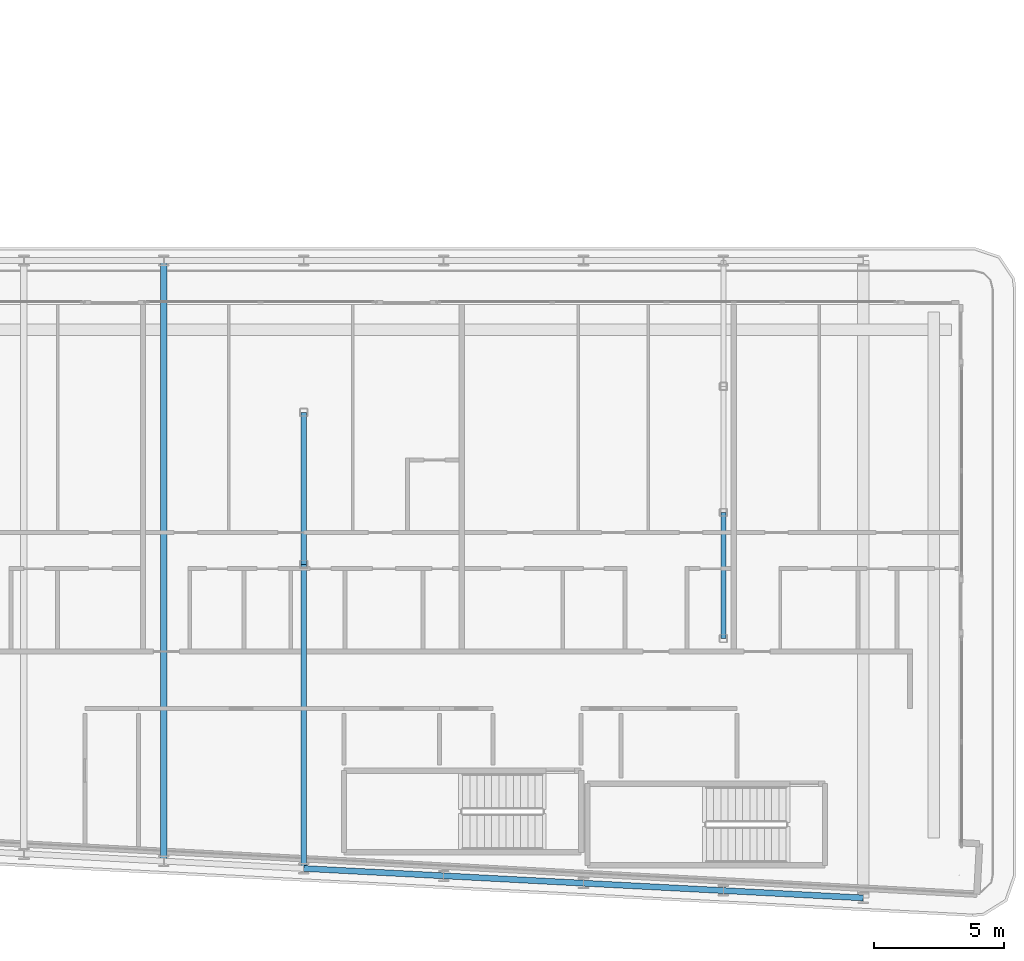
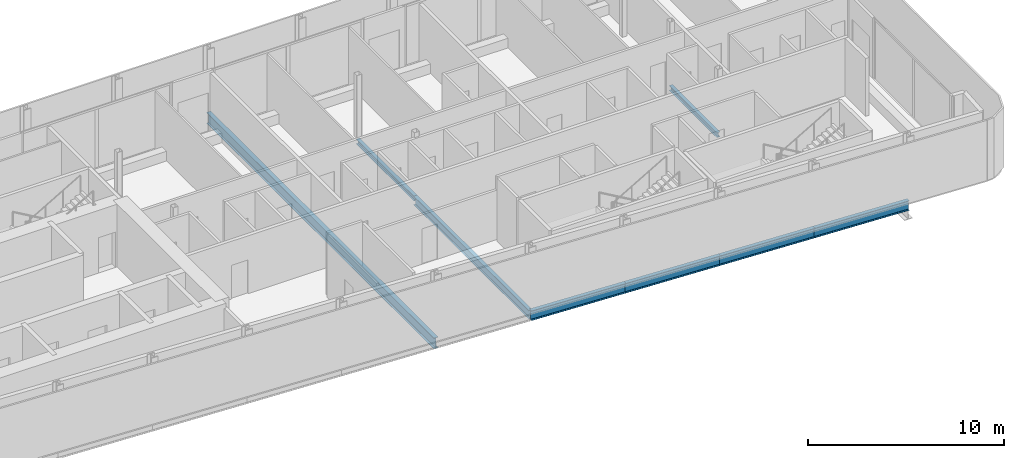
# One storey, part 7 of 29: 8 beams.
"""IFC4 building model written with IfcOpenShell, lengths in metres."""

from ifc_helpers import new_model, si_unit, direction, frame, origin, origin_2d, place, context, subcontext, project, spatial, i_section, extrude, material, material_profile, profile_set, type_object, element, save


model = new_model("IFC4")

# Units and contexts
model_context = context("Model", 3, precision=1e-05, world=origin(), true_north=direction((0.0, 1.0)))
body_context = subcontext(model_context, "Body", "Model", "MODEL_VIEW")
ifc_project = project(units=[si_unit("LENGTHUNIT", "METRE"), si_unit("AREAUNIT", "SQUARE_METRE"), si_unit("VOLUMEUNIT", "CUBIC_METRE"), si_unit("PLANEANGLEUNIT", "RADIAN"), si_unit("MASSUNIT", "GRAM", prefix="KILO")], contexts=[model_context])

# Site, building, storey
site_placement = place(None, origin())
site = spatial("IfcSite", under=ifc_project, at=site_placement, CompositionType="ELEMENT")
building_placement = place(site_placement, origin())
building = spatial("IfcBuilding", under=site, at=building_placement, Name="Kheshtan School and Residences Tower", CompositionType="ELEMENT")
storey_placement = place(building_placement, frame((0.0, 0.0, 168.199951171875)))
storey = spatial("IfcBuildingStorey", under=building, at=storey_placement, Name="L39", CompositionType="ELEMENT", Elevation=168.199951171875)

# Beams
ifc_material = material(Name="Steel ASTM A992 Grade 50", Category="steel")
ifc_material_profile_1 = material_profile(ifc_material, i_section(OverallWidth=0.202880859375, OverallDepth=0.302978515625, WebThickness=0.007568359375, FlangeThickness=0.01318359375, FilletRadius=0.009033203125, at=origin_2d()), Name="W310x60")
ifc_profile_set_1 = profile_set([ifc_material_profile_1], Name="Steel ASTM A992 Grade 50")
beam_type_1 = type_object("IfcBeamType", Name="Beam FB1 W310x60 ASTM A992 Grade 50", PredefinedType="BEAM", material=ifc_profile_set_1)
beam_1_placement = place(storey_placement, frame((85.39990234375, 31.0048828125, -0.301513671875), z_axis=(0.0, 1.0, 0.0), x_axis=(-1.0, 0.0, 0.0)))
element("IfcBeam", 1, at=beam_1_placement, inside=storey, type_object=beam_type_1, Name="Floor beam IC", PredefinedType="BEAM", context=body_context, shape_type="SweptSolid", body=[
    extrude(i_section(OverallWidth=0.202880859375, OverallDepth=0.302978515625, WebThickness=0.007568359375, FlangeThickness=0.01318359375, FilletRadius=0.009033203125, at=origin_2d()), origin(), (0.0, 0.0, 1.0), 4.865234375),
])
beam_2_placement = place(storey_placement, frame((69.199951171875, 33.863037109375, -0.301513671875), z_axis=(0.0, 1.0, 0.0), x_axis=(-1.0, 0.0, 0.0)))
element("IfcBeam", 2, at=beam_2_placement, inside=storey, type_object=beam_type_1, Name="Floor beam IC", PredefinedType="BEAM", context=body_context, shape_type="SweptSolid", body=[
    extrude(i_section(OverallWidth=0.202880859375, OverallDepth=0.302978515625, WebThickness=0.007568359375, FlangeThickness=0.01318359375, FilletRadius=0.009033203125, at=origin_2d()), origin(), (0.0, 0.0, 1.0), 5.868896484375),
])
ifc_material_profile_2 = material_profile(ifc_material, i_section(OverallWidth=0.208984375, OverallDepth=0.532958984375, WebThickness=0.01025390625, FlangeThickness=0.015625, FilletRadius=0.013916015625, at=origin_2d()), Name="W530x92")
ifc_profile_set_2 = profile_set([ifc_material_profile_2], Name="Steel ASTM A992 Grade 50")
beam_type_2 = type_object("IfcBeamType", Name="Beam FB4 W530x92 ASTM A992 Grade 50", PredefinedType="BEAM", material=ifc_profile_set_2)
beam_3_placement = place(storey_placement, frame((69.199951171875, 22.126953125, -0.41650390625), z_axis=(0.0, 1.0, 0.0), x_axis=(-1.0, 0.0, 0.0)))
element("IfcBeam", 3, at=beam_3_placement, inside=storey, type_object=beam_type_2, Name="Floor beam C014", PredefinedType="BEAM", context=body_context, shape_type="SweptSolid", body=[
    extrude(i_section(OverallWidth=0.208984375, OverallDepth=0.532958984375, WebThickness=0.01025390625, FlangeThickness=0.015625, FilletRadius=0.013916015625, at=origin_2d()), origin(), (0.0, 0.0, 1.0), 11.736083984375),
])
ifc_material_profile_3 = material_profile(ifc_material, i_section(OverallWidth=0.2529296875, OverallDepth=0.677978515625, WebThickness=0.01171875, FlangeThickness=0.016357421875, FilletRadius=0.0146484375, at=origin_2d()), Name="W690x125")
ifc_profile_set_3 = profile_set([ifc_material_profile_3], Name="Steel ASTM A992 Grade 50")
beam_type_3 = type_object("IfcBeamType", Name="Beam FB6 W690x125 ASTM A992 Grade 50", PredefinedType="BEAM", material=ifc_profile_set_3)
beam_4_placement = place(storey_placement, frame((63.800048828125, 45.60009765625, -0.489013671875), z_axis=(0.0, -1.0, 0.0), x_axis=(1.0, 0.0, 0.0)))
element("IfcBeam", 4, at=beam_4_placement, inside=storey, type_object=beam_type_3, Name="Floor beam C063", PredefinedType="BEAM", context=body_context, shape_type="SweptSolid", body=[
    extrude(i_section(OverallWidth=0.2529296875, OverallDepth=0.677978515625, WebThickness=0.01171875, FlangeThickness=0.016357421875, FilletRadius=0.0146484375, at=origin_2d()), origin(), (0.0, 0.0, 1.0), 23.189208984375),
])
ifc_material_profile_4 = material_profile(ifc_material, i_section(OverallWidth=0.22802734375, OverallDepth=0.60302734375, WebThickness=0.010498046875, FlangeThickness=0.014892578125, FilletRadius=0.013427734375, at=origin_2d()), Name="W610x101")
ifc_profile_set_4 = profile_set([ifc_material_profile_4], Name="Steel ASTM A992 Grade 50")
beam_type_4 = type_object("IfcBeamType", Name="Beam SP2 W610x101 ASTM A992 Grade 50", PredefinedType="BEAM", material=ifc_profile_set_4)
beam_5_placement = place(storey_placement, frame((90.800048828125, 20.989990234375, -0.451416015625), z_axis=(-0.998620571751, 0.05250670125, 0.0), x_axis=(-0.05250670125, -0.998620571751, 0.0)))
element("IfcBeam", 5, at=beam_5_placement, inside=storey, type_object=beam_type_4, Name="Spandrel beam C006-C008", PredefinedType="BEAM", context=body_context, shape_type="SweptSolid", body=[
    extrude(i_section(OverallWidth=0.22802734375, OverallDepth=0.60302734375, WebThickness=0.010498046875, FlangeThickness=0.014892578125, FilletRadius=0.013427734375, at=origin_2d()), origin(), (0.0, 0.0, 1.0), 5.40771484375),
])
for number, where, z_axis, x_axis, name in (
    (6, (85.39990234375, 21.27392578125, -0.451416015625), (-0.998618078766, 0.052554093665, 0.0), (-0.052554093665, -0.998618078766, 0.0), "Spandrel beam C008-C012"),
    (7, (80.0, 21.55810546875, -0.451416015625), (-0.998610961136, 0.052689166816, 0.0), (-0.052689166816, -0.998610961136, 0.0), "Spandrel beam C012-C013"),
):
    element("IfcBeam", number, at=place(storey_placement, frame(where, z_axis=z_axis, x_axis=x_axis)), inside=storey, type_object=beam_type_4, Name=name, PredefinedType="BEAM", context=body_context, shape_type="SweptSolid", body=[
        extrude(i_section(OverallWidth=0.22802734375, OverallDepth=0.60302734375, WebThickness=0.010498046875, FlangeThickness=0.014892578125, FilletRadius=0.013427734375, at=origin_2d()), origin(), (0.0, 0.0, 1.0), 5.407470703125),
    ])
beam_6_placement = place(storey_placement, frame((74.60009765625, 21.843017578125, -0.451416015625), z_axis=(-0.998620571751, 0.05250670125, 0.0), x_axis=(-0.05250670125, -0.998620571751, 0.0)))
element("IfcBeam", 8, at=beam_6_placement, inside=storey, type_object=beam_type_4, Name="Spandrel beam C013-C014", PredefinedType="BEAM", context=body_context, shape_type="SweptSolid", body=[
    extrude(i_section(OverallWidth=0.22802734375, OverallDepth=0.60302734375, WebThickness=0.010498046875, FlangeThickness=0.014892578125, FilletRadius=0.013427734375, at=origin_2d()), origin(), (0.0, 0.0, 1.0), 5.40771484375),
])

save(model, "model.ifc")
